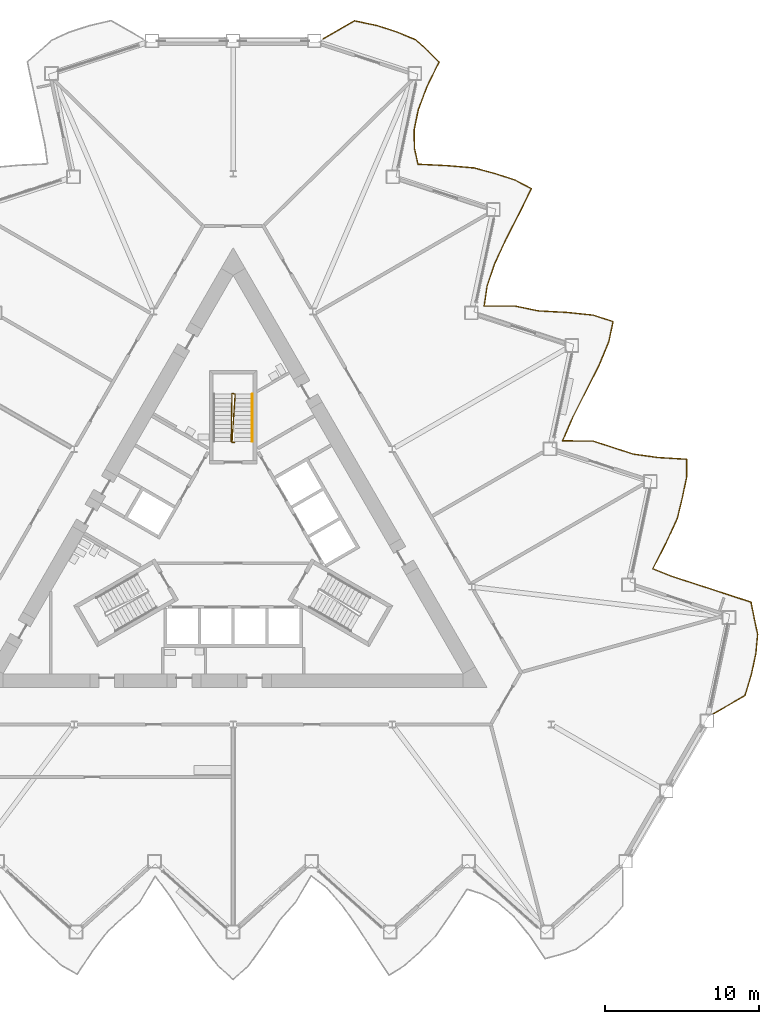
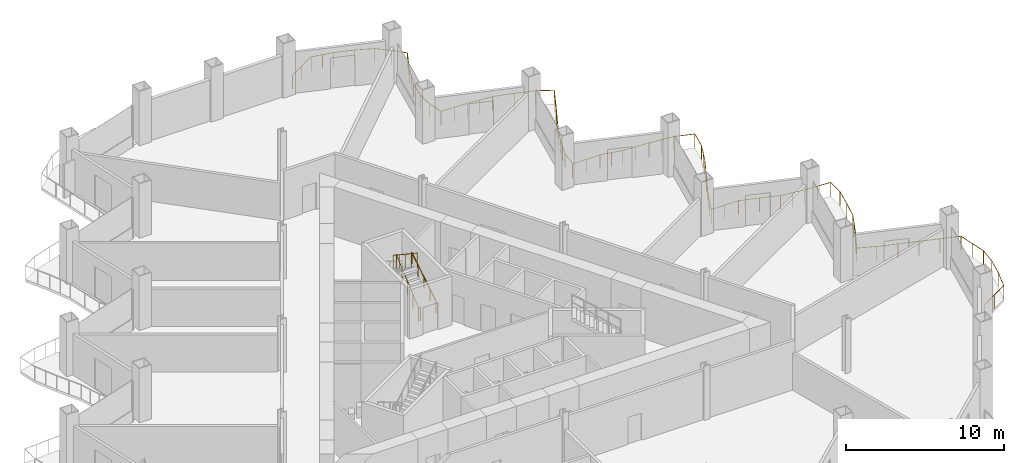
# One storey, part 19 of 21: 3 railings.
"""IFC4 building model written with IfcOpenShell, lengths in metres."""

from ifc_helpers import new_model, si_unit, direction, frame, origin, origin_2d, place, context, subcontext, project, spatial, circle, extrude, material, type_object, element, save


model = new_model("IFC4")

# Units and contexts
model_context = context("Model", 3, precision=1e-05, world=origin(), true_north=direction((0.0, 1.0)))
body_context = subcontext(model_context, "Body", "Model", "MODEL_VIEW")
ifc_project = project(units=[si_unit("LENGTHUNIT", "METRE"), si_unit("AREAUNIT", "SQUARE_METRE"), si_unit("VOLUMEUNIT", "CUBIC_METRE"), si_unit("PLANEANGLEUNIT", "RADIAN"), si_unit("MASSUNIT", "GRAM", prefix="KILO")], contexts=[model_context])

# Site, building, storey
site_placement = place(None, origin())
site = spatial("IfcSite", under=ifc_project, at=site_placement, CompositionType="ELEMENT")
building_placement = place(site_placement, origin())
building = spatial("IfcBuilding", under=site, at=building_placement, Name="Cormorant Prow Tower", CompositionType="ELEMENT")
storey_placement = place(building_placement, frame((0.0, 0.0, 137.39990234375)))
storey = spatial("IfcBuildingStorey", under=building, at=storey_placement, Name="L29", CompositionType="ELEMENT", Elevation=137.39990234375)

# Railings
ifc_material_1 = material(Name="Aluminium 6063-T6", Category="aluminium")
railing_type_1 = type_object("IfcRailingType", Name="Balcony guard 1100", PredefinedType="GUARDRAIL", material=ifc_material_1)
railing_1_placement = place(storey_placement, frame((31.16650390625, -11.24609375, 0.0)))
element("IfcRailing", 1, at=railing_1_placement, inside=storey, type_object=railing_type_1, Name="Balcony guard ENE", PredefinedType="GUARDRAIL", context=body_context, shape_type="SweptSolid", body=[
    extrude(circle(Radius=0.02392578125, at=origin_2d()), frame((0.0, 0.0, 1.076171875), z_axis=(0.866028295127, 0.499994992015, 0.0), x_axis=(-0.499994992015, 0.866028295127, 0.0)), (0.0, 0.0, 1.0), 2.40380859375),
    extrude(circle(Radius=0.02392578125, at=origin_2d()), frame((2.081787109375, 1.201904296875, 1.076171875), z_axis=(0.28877060576, 0.957398316924, 0.0), x_axis=(-0.957398316924, 0.28877060576, 0.0)), (0.0, 0.0, 1.0), 1.4794921875),
    extrude(circle(Radius=0.02392578125, at=origin_2d()), frame((2.509033203125, 2.618408203125, 1.076171875), z_axis=(0.207987307747, 0.978131524804, 0.0), x_axis=(-0.978131524804, 0.207987307747, 0.0)), (0.0, 0.0, 1.0), 1.36279296875),
    extrude(circle(Radius=0.02392578125, at=origin_2d()), frame((2.79248046875, 3.951416015625, 1.076171875), z_axis=(0.090589014578, 0.995888362437, 0.0), x_axis=(-0.995888362437, 0.090589014578, 0.0)), (0.0, 0.0, 1.0), 1.23974609375),
    extrude(circle(Radius=0.02392578125, at=origin_2d()), frame((2.90478515625, 5.18603515625, 1.076171875), z_axis=(-0.210171489105, 0.97766453611, 0.0), x_axis=(-0.97766453611, -0.210171489105, 0.0)), (0.0, 0.0, 1.0), 1.06396484375),
    extrude(circle(Radius=0.02392578125, at=origin_2d()), frame((2.68115234375, 6.226318359375, 1.076171875), z_axis=(-0.194141506486, 0.980973534536, 0.0), x_axis=(-0.980973534536, -0.194141506486, 0.0)), (0.0, 0.0, 1.0), 1.070068359375),
    extrude(circle(Radius=0.02392578125, at=origin_2d()), frame((2.473388671875, 7.276123046875, 1.076171875), z_axis=(-0.951056446131, 0.309017210318, 0.0), x_axis=(-0.309017210318, -0.951056446131, 0.0)), (0.0, 0.0, 1.0), 1.36279296875),
    extrude(circle(Radius=0.02392578125, at=origin_2d()), frame((1.17724609375, 7.697265625, 1.076171875), z_axis=(-0.951073548171, 0.308964570734, 0.0), x_axis=(-0.308964570734, -0.951073548171, 0.0)), (0.0, 0.0, 1.0), 1.363037109375),
    extrude(circle(Radius=0.02392578125, at=origin_2d()), frame((-0.119140625, 8.118408203125, 1.076171875), z_axis=(-0.951003787166, 0.309179230862, 0.0), x_axis=(-0.309179230862, -0.951003787166, 0.0)), (0.0, 0.0, 1.0), 1.363037109375),
    extrude(circle(Radius=0.02392578125, at=origin_2d()), frame((-1.415283203125, 8.539794921875, 1.076171875), z_axis=(-0.951073548171, 0.308964570734, 0.0), x_axis=(-0.308964570734, -0.951073548171, 0.0)), (0.0, 0.0, 1.0), 1.363037109375),
    extrude(circle(Radius=0.02392578125, at=origin_2d()), frame((-2.711669921875, 8.9609375, 1.076171875), z_axis=(-0.927544426557, 0.373712906873, 0.0), x_axis=(-0.373712906873, -0.927544426557, 0.0)), (0.0, 0.0, 1.0), 1.286376953125),
    extrude(circle(Radius=0.02392578125, at=origin_2d()), frame((-3.90478515625, 9.441650390625, 1.076171875), z_axis=(0.456189190816, 0.889882813736, 0.0), x_axis=(-0.889882813736, 0.456189190816, 0.0)), (0.0, 0.0, 1.0), 1.86669921875),
    extrude(circle(Radius=0.02392578125, at=origin_2d()), frame((-3.05322265625, 11.102783203125, 1.076171875), z_axis=(0.419260854224, 0.907865813937, 0.0), x_axis=(-0.907865813937, 0.419260854224, 0.0)), (0.0, 0.0, 1.0), 1.7568359375),
    extrude(circle(Radius=0.02392578125, at=origin_2d()), frame((-2.316650390625, 12.69775390625, 1.076171875), z_axis=(0.234720200923, 0.972062974955, 0.0), x_axis=(-0.972062974955, 0.234720200923, 0.0)), (0.0, 0.0, 1.0), 1.39794921875),
    extrude(circle(Radius=0.02392578125, at=origin_2d()), frame((-1.988525390625, 14.056640625, 1.076171875), z_axis=(0.20777949128, 0.978175691276, 0.0), x_axis=(-0.978175691276, 0.20777949128, 0.0)), (0.0, 0.0, 1.0), 1.363037109375),
    extrude(circle(Radius=0.02392578125, at=origin_2d()), frame((-1.705322265625, 15.389892578125, 1.076171875), z_axis=(-0.004395101961, 0.999990341493, 0.0), x_axis=(-0.999990341493, -0.004395101961, 0.0)), (0.0, 0.0, 1.0), 1.16650390625),
    extrude(circle(Radius=0.02392578125, at=origin_2d()), frame((-1.71044921875, 16.556396484375, 1.076171875), z_axis=(-0.998205480445, 0.059881706794, 0.0), x_axis=(-0.059881706794, -0.998205480445, 0.0)), (0.0, 0.0, 1.0), 1.8388671875),
    extrude(circle(Radius=0.02392578125, at=origin_2d()), frame((-3.5458984375, 16.66650390625, 1.076171875), z_axis=(-0.990785173474, 0.135442755527, 0.0), x_axis=(-0.135442755527, -0.990785173474, 0.0)), (0.0, 0.0, 1.0), 1.65283203125),
    extrude(circle(Radius=0.02392578125, at=origin_2d()), frame((-5.18359375, 16.890380859375, 1.076171875), z_axis=(-0.951020906197, 0.30912656951, 0.0), x_axis=(-0.30912656951, -0.951020906197, 0.0)), (0.0, 0.0, 1.0), 1.363037109375),
    extrude(circle(Radius=0.02392578125, at=origin_2d()), frame((-6.47998046875, 17.311767578125, 1.076171875), z_axis=(-0.951056446131, 0.309017210318, 0.0), x_axis=(-0.309017210318, -0.951056446131, 0.0)), (0.0, 0.0, 1.0), 1.36279296875),
    extrude(circle(Radius=0.02392578125, at=origin_2d()), frame((-7.776123046875, 17.73291015625, 1.076171875), z_axis=(-0.999943000724, 0.010676858255, 0.0), x_axis=(-0.010676858255, -0.999943000724, 0.0)), (0.0, 0.0, 1.0), 1.9892578125),
    extrude(circle(Radius=0.02392578125, at=origin_2d()), frame((-9.765380859375, 17.754150390625, 1.076171875), z_axis=(0.398741839927, 0.917063217609, 0.0), x_axis=(-0.917063217609, 0.398741839927, 0.0)), (0.0, 0.0, 1.0), 1.70263671875),
    extrude(circle(Radius=0.02392578125, at=origin_2d()), frame((-9.08642578125, 19.315673828125, 1.076171875), z_axis=(0.451114859985, 0.892465900245, 0.0), x_axis=(-0.892465900245, 0.451114859985, 0.0)), (0.0, 0.0, 1.0), 1.850341796875),
    extrude(circle(Radius=0.02392578125, at=origin_2d()), frame((-8.251708984375, 20.967041015625, 1.076171875), z_axis=(0.451479426467, 0.892281529271, 0.0), x_axis=(-0.892281529271, 0.451479426467, 0.0)), (0.0, 0.0, 1.0), 1.85205078125),
    extrude(circle(Radius=0.02392578125, at=origin_2d()), frame((-7.41552734375, 22.61962890625, 1.076171875), z_axis=(0.386169867914, 0.922427684491, 0.0), x_axis=(-0.922427684491, 0.386169867914, 0.0)), (0.0, 0.0, 1.0), 1.672119140625),
    extrude(circle(Radius=0.02392578125, at=origin_2d()), frame((-6.769775390625, 24.162109375, 1.076171875), z_axis=(0.207987307747, 0.978131524804, 0.0), x_axis=(-0.978131524804, 0.207987307747, 0.0)), (0.0, 0.0, 1.0), 1.36279296875),
    extrude(circle(Radius=0.02392578125, at=origin_2d()), frame((-6.486328125, 25.4951171875, 1.076171875), z_axis=(-0.951020906197, 0.30912656951, 0.0), x_axis=(-0.30912656951, -0.951020906197, 0.0)), (0.0, 0.0, 1.0), 1.363037109375),
    extrude(circle(Radius=0.02392578125, at=origin_2d()), frame((-7.78271484375, 25.91650390625, 1.076171875), z_axis=(-0.994553457781, 0.104227729592, 0.0), x_axis=(-0.104227729592, -0.994553457781, 0.0)), (0.0, 0.0, 1.0), 1.723876953125),
    extrude(circle(Radius=0.02392578125, at=origin_2d()), frame((-9.497314453125, 26.09619140625, 1.076171875), z_axis=(-0.99862688178, 0.052386553488, 0.0), x_axis=(-0.052386553488, -0.99862688178, 0.0)), (0.0, 0.0, 1.0), 1.859375),
    extrude(circle(Radius=0.02392578125, at=origin_2d()), frame((-11.354248046875, 26.193603515625, 1.076171875), z_axis=(-0.978772631432, 0.204949105777, 0.0), x_axis=(-0.204949105777, -0.978772631432, 0.0)), (0.0, 0.0, 1.0), 1.518798828125),
    extrude(circle(Radius=0.02392578125, at=origin_2d()), frame((-12.8408203125, 26.5048828125, 1.076171875), z_axis=(-0.999997357014, 0.002299122675, 0.0), x_axis=(-0.002299122675, -0.999997357014, 0.0)), (0.0, 0.0, 1.0), 2.017578125),
    extrude(circle(Radius=0.02392578125, at=origin_2d()), frame((-14.8583984375, 26.509521484375, 1.076171875), z_axis=(0.145178339034, 0.989405503257, 0.0), x_axis=(-0.989405503257, 0.145178339034, 0.0)), (0.0, 0.0, 1.0), 1.29150390625),
    extrude(circle(Radius=0.02392578125, at=origin_2d()), frame((-14.6708984375, 27.787353515625, 1.076171875), z_axis=(0.319047114396, 0.947738855801, 0.0), x_axis=(-0.947738855801, 0.319047114396, 0.0)), (0.0, 0.0, 1.0), 1.531982421875),
    extrude(circle(Radius=0.02392578125, at=origin_2d()), frame((-14.18212890625, 29.2392578125, 1.076171875), z_axis=(0.41795388599, 0.908468243356, 0.0), x_axis=(-0.908468243356, 0.41795388599, 0.0)), (0.0, 0.0, 1.0), 1.7529296875),
    extrude(circle(Radius=0.02392578125, at=origin_2d()), frame((-13.449462890625, 30.831787109375, 1.076171875), z_axis=(0.455931479564, 0.890014879619, 0.0), x_axis=(-0.890014879619, 0.455931479564, 0.0)), (0.0, 0.0, 1.0), 1.8662109375),
    extrude(circle(Radius=0.02392578125, at=origin_2d()), frame((-12.5986328125, 32.49267578125, 1.076171875), z_axis=(0.443574700944, 0.896237404197, 0.0), x_axis=(-0.896237404197, 0.443574700944, 0.0)), (0.0, 0.0, 1.0), 1.82666015625),
    extrude(circle(Radius=0.02392578125, at=origin_2d()), frame((-11.788330078125, 34.1298828125, 1.076171875), z_axis=(-0.884466584061, 0.466603538006, 0.0), x_axis=(-0.466603538006, -0.884466584061, 0.0)), (0.0, 0.0, 1.0), 1.197265625),
    extrude(circle(Radius=0.02392578125, at=origin_2d()), frame((-12.84716796875, 34.6884765625, 1.076171875), z_axis=(-0.951073548171, 0.308964570734, 0.0), x_axis=(-0.308964570734, -0.951073548171, 0.0)), (0.0, 0.0, 1.0), 1.363037109375),
    extrude(circle(Radius=0.02392578125, at=origin_2d()), frame((-14.1435546875, 35.109619140625, 1.076171875), z_axis=(-0.965508525338, 0.260371441404, 0.0), x_axis=(-0.260371441404, -0.965508525338, 0.0)), (0.0, 0.0, 1.0), 1.429931640625),
    extrude(circle(Radius=0.02392578125, at=origin_2d()), frame((-15.524169921875, 35.48193359375, 1.076171875), z_axis=(-0.996510581394, 0.08346652724, 0.0), x_axis=(-0.08346652724, -0.996510581394, 0.0)), (0.0, 0.0, 1.0), 1.775390625),
    extrude(circle(Radius=0.02392578125, at=origin_2d()), frame((-17.29345703125, 35.630126953125, 1.076171875), z_axis=(-0.998807076272, 0.048830568173, 0.0), x_axis=(-0.048830568173, -0.998807076272, 0.0)), (0.0, 0.0, 1.0), 1.869873046875),
    extrude(circle(Radius=0.02392578125, at=origin_2d()), frame((-19.1611328125, 35.721435546875, 1.076171875), z_axis=(-0.213087370496, 0.977033148125, 0.0), x_axis=(-0.977033148125, -0.213087370496, 0.0)), (0.0, 0.0, 1.0), 1.063232421875),
    extrude(circle(Radius=0.02392578125, at=origin_2d()), frame((-19.3876953125, 36.76025390625, 1.076171875), z_axis=(-0.019628896374, 0.999807334654, 0.0), x_axis=(-0.999807334654, -0.019628896374, 0.0)), (0.0, 0.0, 1.0), 1.15673828125),
    extrude(circle(Radius=0.02392578125, at=origin_2d()), frame((-19.410400390625, 37.916748046875, 1.076171875), z_axis=(0.197784685481, 0.980245488737, 0.0), x_axis=(-0.980245488737, 0.197784685481, 0.0)), (0.0, 0.0, 1.0), 1.350341796875),
    extrude(circle(Radius=0.02392578125, at=origin_2d()), frame((-19.143310546875, 39.240478515625, 1.076171875), z_axis=(0.351760535491, 0.936090020068, 0.0), x_axis=(-0.936090020068, 0.351760535491, 0.0)), (0.0, 0.0, 1.0), 1.595703125),
    extrude(circle(Radius=0.02392578125, at=origin_2d()), frame((-18.58203125, 40.734130859375, 1.076171875), z_axis=(0.43939350747, 0.898294687501, 0.0), x_axis=(-0.898294687501, 0.43939350747, 0.0)), (0.0, 0.0, 1.0), 1.814697265625),
    extrude(circle(Radius=0.02392578125, at=origin_2d()), frame((-17.78466796875, 42.3642578125, 1.076171875), z_axis=(-0.708617812109, 0.705592514389, 0.0), x_axis=(-0.705592514389, -0.708617812109, 0.0)), (0.0, 0.0, 1.0), 1.049072265625),
    extrude(circle(Radius=0.02392578125, at=origin_2d()), frame((-18.528076171875, 43.1044921875, 1.076171875), z_axis=(-0.752859275685, 0.658181518288, 0.0), x_axis=(-0.658181518288, -0.752859275685, 0.0)), (0.0, 0.0, 1.0), 1.070068359375),
    extrude(circle(Radius=0.02392578125, at=origin_2d()), frame((-19.333740234375, 43.808837890625, 1.076171875), z_axis=(-0.921356634102, 0.388718346358, 0.0), x_axis=(-0.388718346358, -0.921356634102, 0.0)), (0.0, 0.0, 1.0), 1.2705078125),
    extrude(circle(Radius=0.02392578125, at=origin_2d()), frame((-20.50439453125, 44.302734375, 1.076171875), z_axis=(-0.951056446131, 0.309017210318, 0.0), x_axis=(-0.309017210318, -0.951056446131, 0.0)), (0.0, 0.0, 1.0), 1.36279296875),
    extrude(circle(Radius=0.02392578125, at=origin_2d()), frame((-21.800537109375, 44.723876953125, 1.076171875), z_axis=(-0.978740375285, 0.205103090633, 0.0), x_axis=(-0.205103090633, -0.978740375285, 0.0)), (0.0, 0.0, 1.0), 1.518798828125),
    extrude(circle(Radius=0.02392578125, at=origin_2d()), frame((-23.287109375, 45.035400390625, 1.076171875), z_axis=(-0.865997029545, -0.500049142405, 0.0), x_axis=(0.500049142405, -0.865997029545, 0.0)), (0.0, 0.0, 1.0), 2.350341796875),
    extrude(circle(Radius=0.02099609375, at=origin_2d()), origin(), (0.0, 0.0, 1.0), 1.052001953125),
    extrude(circle(Radius=0.02099609375, at=origin_2d()), frame((1.041015625, 0.60107421875, 0.0)), (0.0, 0.0, 1.0), 1.052001953125),
    extrude(circle(Radius=0.02099609375, at=origin_2d()), frame((2.081787109375, 1.201904296875, 0.0)), (0.0, 0.0, 1.0), 1.052001953125),
    extrude(circle(Radius=0.02099609375, at=origin_2d()), frame((2.509033203125, 2.618408203125, 0.0)), (0.0, 0.0, 1.0), 1.052001953125),
    extrude(circle(Radius=0.02099609375, at=origin_2d()), frame((2.79248046875, 3.951416015625, 0.0)), (0.0, 0.0, 1.0), 1.052001953125),
    extrude(circle(Radius=0.02099609375, at=origin_2d()), frame((2.90478515625, 5.18603515625, 0.0)), (0.0, 0.0, 1.0), 1.052001953125),
    extrude(circle(Radius=0.02099609375, at=origin_2d()), frame((2.68115234375, 6.226318359375, 0.0)), (0.0, 0.0, 1.0), 1.052001953125),
    extrude(circle(Radius=0.02099609375, at=origin_2d()), frame((2.473388671875, 7.276123046875, 0.0)), (0.0, 0.0, 1.0), 1.052001953125),
    extrude(circle(Radius=0.02099609375, at=origin_2d()), frame((1.17724609375, 7.697265625, 0.0)), (0.0, 0.0, 1.0), 1.052001953125),
    extrude(circle(Radius=0.02099609375, at=origin_2d()), frame((-0.119140625, 8.118408203125, 0.0)), (0.0, 0.0, 1.0), 1.052001953125),
    extrude(circle(Radius=0.02099609375, at=origin_2d()), frame((-1.415283203125, 8.539794921875, 0.0)), (0.0, 0.0, 1.0), 1.052001953125),
    extrude(circle(Radius=0.02099609375, at=origin_2d()), frame((-2.711669921875, 8.9609375, 0.0)), (0.0, 0.0, 1.0), 1.052001953125),
    extrude(circle(Radius=0.02099609375, at=origin_2d()), frame((-3.90478515625, 9.441650390625, 0.0)), (0.0, 0.0, 1.0), 1.052001953125),
    extrude(circle(Radius=0.02099609375, at=origin_2d()), frame((-3.47900390625, 10.272216796875, 0.0)), (0.0, 0.0, 1.0), 1.052001953125),
    extrude(circle(Radius=0.02099609375, at=origin_2d()), frame((-3.05322265625, 11.102783203125, 0.0)), (0.0, 0.0, 1.0), 1.052001953125),
    extrude(circle(Radius=0.02099609375, at=origin_2d()), frame((-2.68505859375, 11.900390625, 0.0)), (0.0, 0.0, 1.0), 1.052001953125),
    extrude(circle(Radius=0.02099609375, at=origin_2d()), frame((-2.316650390625, 12.69775390625, 0.0)), (0.0, 0.0, 1.0), 1.052001953125),
    extrude(circle(Radius=0.02099609375, at=origin_2d()), frame((-1.988525390625, 14.056640625, 0.0)), (0.0, 0.0, 1.0), 1.052001953125),
    extrude(circle(Radius=0.02099609375, at=origin_2d()), frame((-1.705322265625, 15.389892578125, 0.0)), (0.0, 0.0, 1.0), 1.052001953125),
    extrude(circle(Radius=0.02099609375, at=origin_2d()), frame((-1.71044921875, 16.556396484375, 0.0)), (0.0, 0.0, 1.0), 1.052001953125),
    extrude(circle(Radius=0.02099609375, at=origin_2d()), frame((-2.628173828125, 16.611328125, 0.0)), (0.0, 0.0, 1.0), 1.052001953125),
    extrude(circle(Radius=0.02099609375, at=origin_2d()), frame((-3.5458984375, 16.66650390625, 0.0)), (0.0, 0.0, 1.0), 1.052001953125),
    extrude(circle(Radius=0.02099609375, at=origin_2d()), frame((-4.36474609375, 16.7783203125, 0.0)), (0.0, 0.0, 1.0), 1.052001953125),
    extrude(circle(Radius=0.02099609375, at=origin_2d()), frame((-5.18359375, 16.890380859375, 0.0)), (0.0, 0.0, 1.0), 1.052001953125),
    extrude(circle(Radius=0.02099609375, at=origin_2d()), frame((-6.47998046875, 17.311767578125, 0.0)), (0.0, 0.0, 1.0), 1.052001953125),
    extrude(circle(Radius=0.02099609375, at=origin_2d()), frame((-7.776123046875, 17.73291015625, 0.0)), (0.0, 0.0, 1.0), 1.052001953125),
    extrude(circle(Radius=0.02099609375, at=origin_2d()), frame((-8.770751953125, 17.74365234375, 0.0)), (0.0, 0.0, 1.0), 1.052001953125),
    extrude(circle(Radius=0.02099609375, at=origin_2d()), frame((-9.765380859375, 17.754150390625, 0.0)), (0.0, 0.0, 1.0), 1.052001953125),
    extrude(circle(Radius=0.02099609375, at=origin_2d()), frame((-9.42578125, 18.534912109375, 0.0)), (0.0, 0.0, 1.0), 1.052001953125),
    extrude(circle(Radius=0.02099609375, at=origin_2d()), frame((-9.08642578125, 19.315673828125, 0.0)), (0.0, 0.0, 1.0), 1.052001953125),
    extrude(circle(Radius=0.02099609375, at=origin_2d()), frame((-8.6689453125, 20.141357421875, 0.0)), (0.0, 0.0, 1.0), 1.052001953125),
    extrude(circle(Radius=0.02099609375, at=origin_2d()), frame((-8.251708984375, 20.967041015625, 0.0)), (0.0, 0.0, 1.0), 1.052001953125),
    extrude(circle(Radius=0.02099609375, at=origin_2d()), frame((-7.83349609375, 21.79345703125, 0.0)), (0.0, 0.0, 1.0), 1.052001953125),
    extrude(circle(Radius=0.02099609375, at=origin_2d()), frame((-7.41552734375, 22.61962890625, 0.0)), (0.0, 0.0, 1.0), 1.052001953125),
    extrude(circle(Radius=0.02099609375, at=origin_2d()), frame((-7.0927734375, 23.390869140625, 0.0)), (0.0, 0.0, 1.0), 1.052001953125),
    extrude(circle(Radius=0.02099609375, at=origin_2d()), frame((-6.769775390625, 24.162109375, 0.0)), (0.0, 0.0, 1.0), 1.052001953125),
    extrude(circle(Radius=0.02099609375, at=origin_2d()), frame((-6.486328125, 25.4951171875, 0.0)), (0.0, 0.0, 1.0), 1.052001953125),
    extrude(circle(Radius=0.02099609375, at=origin_2d()), frame((-7.78271484375, 25.91650390625, 0.0)), (0.0, 0.0, 1.0), 1.052001953125),
    extrude(circle(Radius=0.02099609375, at=origin_2d()), frame((-8.64013671875, 26.00634765625, 0.0)), (0.0, 0.0, 1.0), 1.052001953125),
    extrude(circle(Radius=0.02099609375, at=origin_2d()), frame((-9.497314453125, 26.09619140625, 0.0)), (0.0, 0.0, 1.0), 1.052001953125),
    extrude(circle(Radius=0.02099609375, at=origin_2d()), frame((-10.42578125, 26.14501953125, 0.0)), (0.0, 0.0, 1.0), 1.052001953125),
    extrude(circle(Radius=0.02099609375, at=origin_2d()), frame((-11.354248046875, 26.193603515625, 0.0)), (0.0, 0.0, 1.0), 1.052001953125),
    extrude(circle(Radius=0.02099609375, at=origin_2d()), frame((-12.09765625, 26.34912109375, 0.0)), (0.0, 0.0, 1.0), 1.052001953125),
    extrude(circle(Radius=0.02099609375, at=origin_2d()), frame((-12.8408203125, 26.5048828125, 0.0)), (0.0, 0.0, 1.0), 1.052001953125),
    extrude(circle(Radius=0.02099609375, at=origin_2d()), frame((-13.849609375, 26.50732421875, 0.0)), (0.0, 0.0, 1.0), 1.052001953125),
    extrude(circle(Radius=0.02099609375, at=origin_2d()), frame((-14.8583984375, 26.509521484375, 0.0)), (0.0, 0.0, 1.0), 1.052001953125),
    extrude(circle(Radius=0.02099609375, at=origin_2d()), frame((-14.6708984375, 27.787353515625, 0.0)), (0.0, 0.0, 1.0), 1.052001953125),
    extrude(circle(Radius=0.02099609375, at=origin_2d()), frame((-14.426513671875, 28.51318359375, 0.0)), (0.0, 0.0, 1.0), 1.052001953125),
    extrude(circle(Radius=0.02099609375, at=origin_2d()), frame((-14.18212890625, 29.2392578125, 0.0)), (0.0, 0.0, 1.0), 1.052001953125),
    extrude(circle(Radius=0.02099609375, at=origin_2d()), frame((-13.81591796875, 30.03564453125, 0.0)), (0.0, 0.0, 1.0), 1.052001953125),
    extrude(circle(Radius=0.02099609375, at=origin_2d()), frame((-13.449462890625, 30.831787109375, 0.0)), (0.0, 0.0, 1.0), 1.052001953125),
    extrude(circle(Radius=0.02099609375, at=origin_2d()), frame((-13.02392578125, 31.662109375, 0.0)), (0.0, 0.0, 1.0), 1.052001953125),
    extrude(circle(Radius=0.02099609375, at=origin_2d()), frame((-12.5986328125, 32.49267578125, 0.0)), (0.0, 0.0, 1.0), 1.052001953125),
    extrude(circle(Radius=0.02099609375, at=origin_2d()), frame((-12.193359375, 33.311279296875, 0.0)), (0.0, 0.0, 1.0), 1.052001953125),
    extrude(circle(Radius=0.02099609375, at=origin_2d()), frame((-11.788330078125, 34.1298828125, 0.0)), (0.0, 0.0, 1.0), 1.052001953125),
    extrude(circle(Radius=0.02099609375, at=origin_2d()), frame((-12.84716796875, 34.6884765625, 0.0)), (0.0, 0.0, 1.0), 1.052001953125),
    extrude(circle(Radius=0.02099609375, at=origin_2d()), frame((-14.1435546875, 35.109619140625, 0.0)), (0.0, 0.0, 1.0), 1.052001953125),
    extrude(circle(Radius=0.02099609375, at=origin_2d()), frame((-15.524169921875, 35.48193359375, 0.0)), (0.0, 0.0, 1.0), 1.052001953125),
    extrude(circle(Radius=0.02099609375, at=origin_2d()), frame((-16.40869140625, 35.55615234375, 0.0)), (0.0, 0.0, 1.0), 1.052001953125),
    extrude(circle(Radius=0.02099609375, at=origin_2d()), frame((-17.29345703125, 35.630126953125, 0.0)), (0.0, 0.0, 1.0), 1.052001953125),
    extrude(circle(Radius=0.02099609375, at=origin_2d()), frame((-18.227294921875, 35.67578125, 0.0)), (0.0, 0.0, 1.0), 1.052001953125),
    extrude(circle(Radius=0.02099609375, at=origin_2d()), frame((-19.1611328125, 35.721435546875, 0.0)), (0.0, 0.0, 1.0), 1.052001953125),
    extrude(circle(Radius=0.02099609375, at=origin_2d()), frame((-19.3876953125, 36.76025390625, 0.0)), (0.0, 0.0, 1.0), 1.052001953125),
    extrude(circle(Radius=0.02099609375, at=origin_2d()), frame((-19.410400390625, 37.916748046875, 0.0)), (0.0, 0.0, 1.0), 1.052001953125),
    extrude(circle(Radius=0.02099609375, at=origin_2d()), frame((-19.143310546875, 39.240478515625, 0.0)), (0.0, 0.0, 1.0), 1.052001953125),
    extrude(circle(Radius=0.02099609375, at=origin_2d()), frame((-18.86279296875, 39.9873046875, 0.0)), (0.0, 0.0, 1.0), 1.052001953125),
    extrude(circle(Radius=0.02099609375, at=origin_2d()), frame((-18.58203125, 40.734130859375, 0.0)), (0.0, 0.0, 1.0), 1.052001953125),
    extrude(circle(Radius=0.02099609375, at=origin_2d()), frame((-18.183349609375, 41.54931640625, 0.0)), (0.0, 0.0, 1.0), 1.052001953125),
    extrude(circle(Radius=0.02099609375, at=origin_2d()), frame((-17.78466796875, 42.3642578125, 0.0)), (0.0, 0.0, 1.0), 1.052001953125),
    extrude(circle(Radius=0.02099609375, at=origin_2d()), frame((-18.528076171875, 43.1044921875, 0.0)), (0.0, 0.0, 1.0), 1.052001953125),
    extrude(circle(Radius=0.02099609375, at=origin_2d()), frame((-19.333740234375, 43.808837890625, 0.0)), (0.0, 0.0, 1.0), 1.052001953125),
    extrude(circle(Radius=0.02099609375, at=origin_2d()), frame((-20.50439453125, 44.302734375, 0.0)), (0.0, 0.0, 1.0), 1.052001953125),
    extrude(circle(Radius=0.02099609375, at=origin_2d()), frame((-21.800537109375, 44.723876953125, 0.0)), (0.0, 0.0, 1.0), 1.052001953125),
    extrude(circle(Radius=0.02099609375, at=origin_2d()), frame((-22.5439453125, 44.879638671875, 0.0)), (0.0, 0.0, 1.0), 1.052001953125),
    extrude(circle(Radius=0.02099609375, at=origin_2d()), frame((-23.287109375, 45.035400390625, 0.0)), (0.0, 0.0, 1.0), 1.052001953125),
    extrude(circle(Radius=0.02099609375, at=origin_2d()), frame((-24.3046875, 44.44775390625, 0.0)), (0.0, 0.0, 1.0), 1.052001953125),
    extrude(circle(Radius=0.02099609375, at=origin_2d()), frame((-25.322509765625, 43.860107421875, 0.0)), (0.0, 0.0, 1.0), 1.052001953125),
])
ifc_material_2 = material(Name="Stainless steel", Category="steel")
railing_type_2 = type_object("IfcRailingType", Name="Stair guard 1100", PredefinedType="GUARDRAIL", material=ifc_material_2)
railing_2_placement = place(storey_placement, frame((0.074951171875, 6.40576171875, 0.0)))
element("IfcRailing", 2, at=railing_2_placement, inside=storey, type_object=railing_type_2, Name="L29 ST3 stair guard 1", PredefinedType="GUARDRAIL", context=body_context, shape_type="SweptSolid", body=[
    extrude(circle(Radius=0.02392578125, at=origin_2d()), frame((0.0, 0.0, 1.076171875), z_axis=(-1.0, 0.0, 0.0), x_axis=(0.0, -1.0, 0.0)), (0.0, 0.0, 1.0), 0.14990234375),
    extrude(circle(Radius=0.02392578125, at=origin_2d()), frame((-0.14990234375, 0.0, 1.076171875), z_axis=(0.052971918151, 0.829246596605, 0.556366837532), x_axis=(-0.997965923181, 0.063749636618, 0.0)), (0.0, 0.0, 1.0), 3.774658203125),
    extrude(circle(Radius=0.02392578125, at=origin_2d()), frame((0.050048828125, 3.130126953125, 3.17626953125), z_axis=(-0.970072785993, 0.242814311512, 0.0), x_axis=(-0.242814311512, -0.970072785993, 0.0)), (0.0, 0.0, 1.0), 0.2060546875),
    extrude(circle(Radius=0.02392578125, at=origin_2d()), frame((-0.14990234375, 3.18017578125, 3.17626953125), z_axis=(-0.013276620939, -0.830339302729, 0.557099967403), x_axis=(0.999872194171, -0.015987348866, 0.0)), (0.0, 0.0, 1.0), 3.769775390625),
    extrude(circle(Radius=0.02099609375, at=origin_2d()), origin(), (0.0, 0.0, 1.0), 1.052001953125),
    extrude(circle(Radius=0.02099609375, at=origin_2d()), frame((-0.14990234375, 0.0, 0.0)), (0.0, 0.0, 1.0), 1.052001953125),
    extrude(circle(Radius=0.02099609375, at=origin_2d()), frame((-0.099853515625, 0.782470703125, 0.52490234375)), (0.0, 0.0, 1.0), 1.052001953125),
    extrude(circle(Radius=0.02099609375, at=origin_2d()), frame((-0.0498046875, 1.56494140625, 1.050048828125)), (0.0, 0.0, 1.0), 1.052001953125),
    extrude(circle(Radius=0.02099609375, at=origin_2d()), frame((0.0, 2.34765625, 1.5751953125)), (0.0, 0.0, 1.0), 1.052001953125),
    extrude(circle(Radius=0.02099609375, at=origin_2d()), frame((0.050048828125, 3.130126953125, 2.10009765625)), (0.0, 0.0, 1.0), 1.052001953125),
    extrude(circle(Radius=0.02099609375, at=origin_2d()), frame((-0.14990234375, 3.18017578125, 2.10009765625)), (0.0, 0.0, 1.0), 1.052001953125),
    extrude(circle(Radius=0.02099609375, at=origin_2d()), frame((-0.162353515625, 2.397705078125, 2.625)), (0.0, 0.0, 1.0), 1.052001953125),
    extrude(circle(Radius=0.02099609375, at=origin_2d()), frame((-0.1748046875, 1.615234375, 3.150146484375)), (0.0, 0.0, 1.0), 1.052001953125),
    extrude(circle(Radius=0.02099609375, at=origin_2d()), frame((-0.1875, 0.83251953125, 3.67529296875)), (0.0, 0.0, 1.0), 1.052001953125),
    extrude(circle(Radius=0.02099609375, at=origin_2d()), frame((-0.199951171875, 0.050048828125, 4.2001953125)), (0.0, 0.0, 1.0), 1.052001953125),
])
ifc_material_3 = material(Name="Stainless steel", Category="steel")
railing_type_3 = type_object("IfcRailingType", Name="Stair handrail 900", PredefinedType="HANDRAIL", material=ifc_material_3)
railing_3_placement = place(storey_placement, frame((1.243896484375, 6.455810546875, 0.175048828125)))
element("IfcRailing", 3, at=railing_3_placement, inside=storey, type_object=railing_type_3, Name="L29 ST3 stair handrail 1", PredefinedType="HANDRAIL", context=body_context, shape_type="SweptSolid", body=[
    extrude(circle(Radius=0.02392578125, at=origin_2d()), frame((0.0, 0.0, 0.8759765625), z_axis=(0.0, 0.847998304005, 0.529998940003), x_axis=(-1.0, 0.0, 0.0)), (0.0, 0.0, 1.0), 3.632080078125),
    extrude(circle(Radius=0.02099609375, at=origin_2d()), origin(), (0.0, 0.0, 1.0), 0.851806640625),
    extrude(circle(Radius=0.02099609375, at=origin_2d()), frame((0.0, 0.77001953125, 0.481201171875)), (0.0, 0.0, 1.0), 0.851806640625),
    extrude(circle(Radius=0.02099609375, at=origin_2d()), frame((0.0, 1.5400390625, 0.96240234375)), (0.0, 0.0, 1.0), 0.851806640625),
    extrude(circle(Radius=0.02099609375, at=origin_2d()), frame((0.0, 2.31005859375, 1.44384765625)), (0.0, 0.0, 1.0), 0.851806640625),
    extrude(circle(Radius=0.02099609375, at=origin_2d()), frame((0.0, 3.080078125, 1.925048828125)), (0.0, 0.0, 1.0), 0.851806640625),
])

save(model, "model.ifc")
